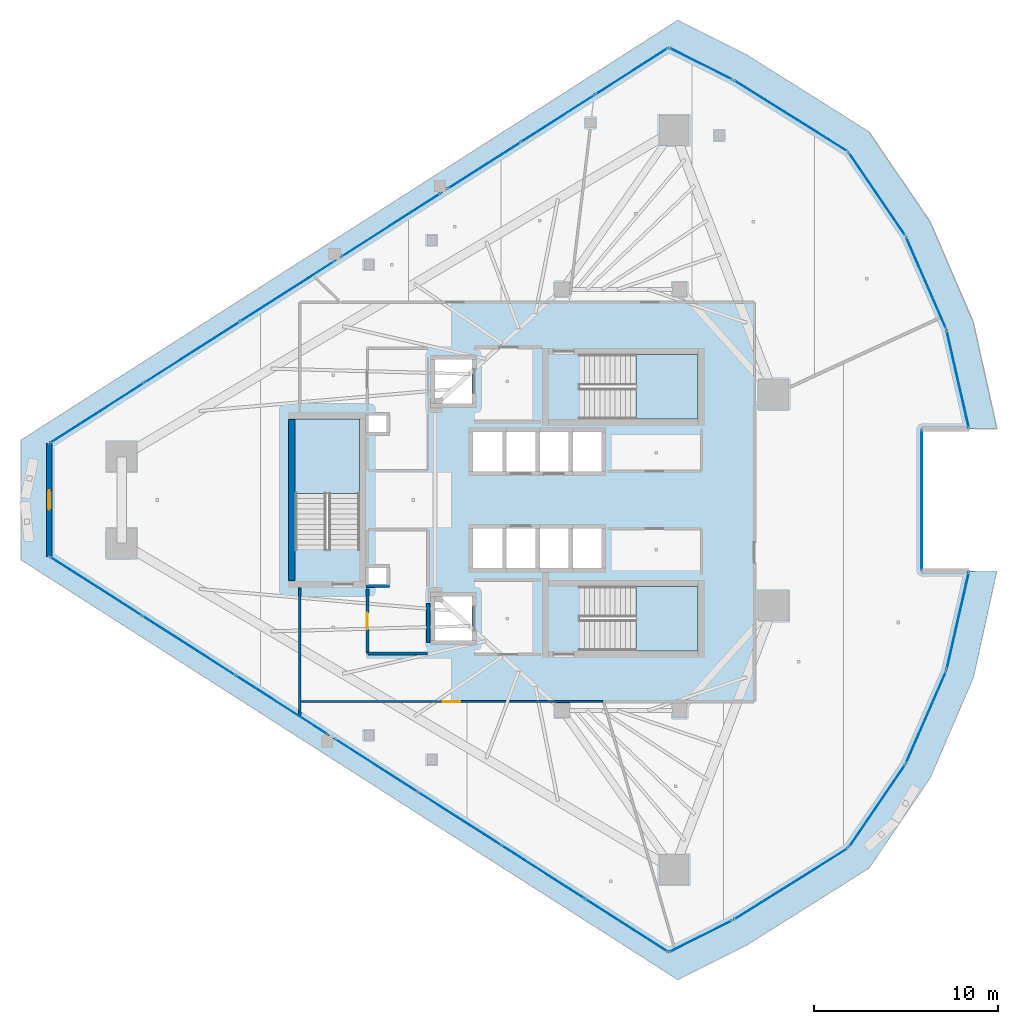
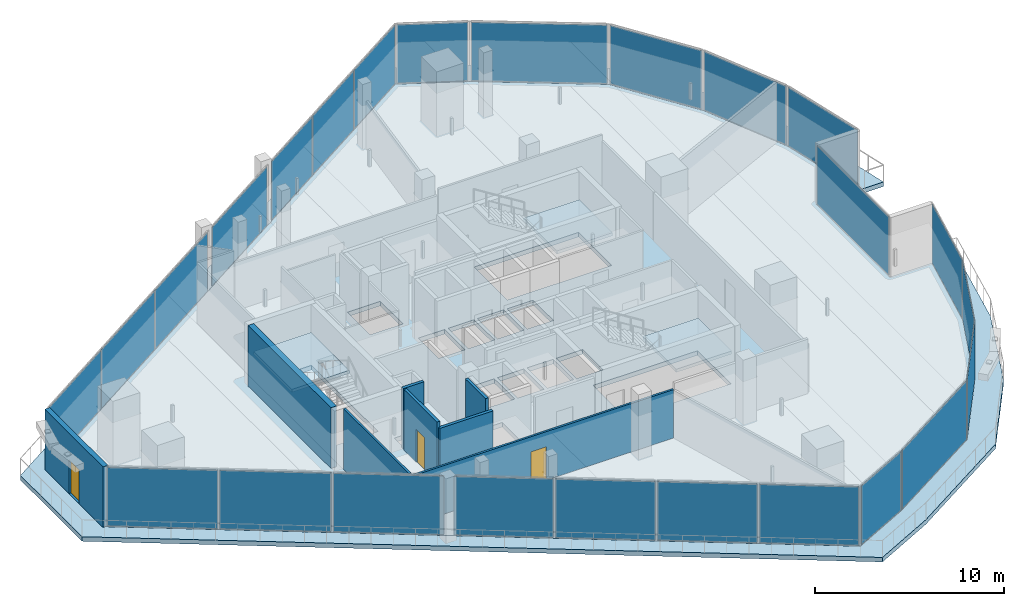
# One storey, part 20 of 31: 25 plates, 8 walls, 5 slabs, 3 doors, 3 openings, 19 elements without a shape of their own.
"""IFC4 building model written with IfcOpenShell, lengths in metres."""

from ifc_helpers import new_model, si_unit, direction, frame, frame_2d, origin, origin_2d, place, context, subcontext, project, spatial, polyline, rectangle, outline, extrude, material, layer, layer_set, type_object, element, fill, aggregate, save


model = new_model("IFC4")

# Units and contexts
model_context = context("Model", 3, precision=1e-05, world=origin(), true_north=direction((0.0, 1.0)))
body_context = subcontext(model_context, "Body", "Model", "MODEL_VIEW")
ifc_project = project(units=[si_unit("LENGTHUNIT", "METRE"), si_unit("AREAUNIT", "SQUARE_METRE"), si_unit("VOLUMEUNIT", "CUBIC_METRE"), si_unit("PLANEANGLEUNIT", "RADIAN"), si_unit("MASSUNIT", "GRAM", prefix="KILO")], contexts=[model_context])

# Site, building, storey
site_placement = place(None, origin())
site = spatial("IfcSite", under=ifc_project, at=site_placement, CompositionType="ELEMENT")
building_placement = place(site_placement, origin())
building = spatial("IfcBuilding", under=site, at=building_placement, Name="Qorvath Tower", CompositionType="ELEMENT")
storey_placement = place(building_placement, frame((0.0, 0.0, 259.800048828125)))
storey = spatial("IfcBuildingStorey", under=building, at=storey_placement, Name="L60", CompositionType="ELEMENT", Elevation=259.800048828125)

# Curtain wall, plates
ifc_material_1 = material(Name="Anodised aluminium and triple low-E glass", Category="aluminium")
ifc_layer_1 = layer(ifc_material_1, 0.179931640625)
ifc_layer_set_1 = layer_set([ifc_layer_1], Name="CW-SYS-4")
curtain_wall_type = type_object("IfcCurtainWallType", Name="CW-SYS-4", PredefinedType="NOTDEFINED", material=ifc_layer_set_1)
curtain_wall_1_placement = place(storey_placement, origin())
curtain_wall_1 = element("IfcCurtainWall", 1, at=curtain_wall_1_placement, inside=storey, type_object=curtain_wall_type, Name="Curtain Wall CW-4 CW-T-L60-2.1", PredefinedType="NOTDEFINED")
ifc_material_2 = material(Name="Acoustic laminated low-E glass", Category="glass")
ifc_layer_2 = layer(ifc_material_2, 0.0380859375)
ifc_layer_set_2 = layer_set([ifc_layer_2], Name="CWP-GLZ-38")
plate_type = type_object("IfcPlateType", Name="CWP-GLZ-38", PredefinedType="CURTAIN_PANEL", material=ifc_layer_set_2)
plate_1_placement = place(storey_placement, frame((-48.92822265625, -4.699462890625, 0.06494140625), z_axis=(0.0, 0.0, 1.0), x_axis=(0.84260709756, -0.538528809945, 0.0)))
plate_1 = element("IfcPlate", 2, at=plate_1_placement, type_object=plate_type, Name="CW-4 panel 1.1", PredefinedType="CURTAIN_PANEL", context=body_context, shape_type="SweptSolid", body=[
    extrude(rectangle(XDim=5.885986328125, YDim=0.0380859375, at=origin_2d()), origin(), (0.0, 0.0, 1.0), 3.780029296875),
])
plate_2_placement = place(storey_placement, frame((-43.8896484375, -7.919921875, 0.06494140625), z_axis=(0.0, 0.0, 1.0), x_axis=(0.84260709756, -0.538528809945, 0.0)))
plate_2 = element("IfcPlate", 3, at=plate_2_placement, type_object=plate_type, Name="CW-4 panel 2.1", PredefinedType="CURTAIN_PANEL", context=body_context, shape_type="SweptSolid", body=[
    extrude(rectangle(XDim=5.923583984375, YDim=0.0380859375, at=origin_2d()), origin(), (0.0, 0.0, 1.0), 3.780029296875),
])
plate_3_placement = place(storey_placement, frame((-38.850830078125, -11.14013671875, 0.06494140625), z_axis=(0.0, 0.0, 1.0), x_axis=(0.84260709756, -0.538528809945, 0.0)))
plate_3 = element("IfcPlate", 4, at=plate_3_placement, type_object=plate_type, Name="CW-4 panel 3.1", PredefinedType="CURTAIN_PANEL", context=body_context, shape_type="SweptSolid", body=[
    extrude(rectangle(XDim=5.885986328125, YDim=0.0380859375, at=origin_2d()), origin(), (0.0, 0.0, 1.0), 3.780029296875),
])
aggregate(curtain_wall_1, [plate_1, plate_2, plate_3])

curtain_wall_2_placement = place(storey_placement, origin())
curtain_wall_2 = element("IfcCurtainWall", 5, at=curtain_wall_2_placement, inside=storey, type_object=curtain_wall_type, Name="Curtain Wall CW-4 CW-T-L60-2.2", PredefinedType="NOTDEFINED")
plate_4_placement = place(storey_placement, frame((-33.704833984375, -14.42919921875, 0.06494140625), z_axis=(0.0, 0.0, 1.0), x_axis=(0.842602326393, -0.538536275061, 0.0)))
plate_4 = element("IfcPlate", 6, at=plate_4_placement, type_object=plate_type, Name="CW-4 panel 1.1", PredefinedType="CURTAIN_PANEL", context=body_context, shape_type="SweptSolid", body=[
    extrude(rectangle(XDim=5.28515625, YDim=0.0380859375, at=origin_2d()), origin(), (0.0, 0.0, 1.0), 3.780029296875),
])
plate_5_placement = place(storey_placement, frame((-29.172607421875, -17.32568359375, 0.06494140625), z_axis=(0.0, 0.0, 1.0), x_axis=(0.842602326393, -0.538536275061, 0.0)))
plate_5 = element("IfcPlate", 7, at=plate_5_placement, type_object=plate_type, Name="CW-4 panel 2.1", PredefinedType="CURTAIN_PANEL", context=body_context, shape_type="SweptSolid", body=[
    extrude(rectangle(XDim=5.322509765625, YDim=0.0380859375, at=origin_2d()), origin(), (0.0, 0.0, 1.0), 3.780029296875),
])
plate_6_placement = place(storey_placement, frame((-24.62451171875, -20.232666015625, 0.06494140625), z_axis=(0.0, 0.0, 1.0), x_axis=(0.842602326393, -0.538536275061, 0.0)))
plate_6 = element("IfcPlate", 8, at=plate_6_placement, type_object=plate_type, Name="CW-4 panel 3.1", PredefinedType="CURTAIN_PANEL", context=body_context, shape_type="SweptSolid", body=[
    extrude(rectangle(XDim=5.322509765625, YDim=0.0380859375, at=origin_2d()), origin(), (0.0, 0.0, 1.0), 3.780029296875),
])
plate_7_placement = place(storey_placement, frame((-20.09228515625, -23.12939453125, 0.06494140625), z_axis=(0.0, 0.0, 1.0), x_axis=(0.842602326393, -0.538536275061, 0.0)))
plate_7 = element("IfcPlate", 9, at=plate_7_placement, type_object=plate_type, Name="CW-4 panel 4.1", PredefinedType="CURTAIN_PANEL", context=body_context, shape_type="SweptSolid", body=[
    extrude(rectangle(XDim=5.28515625, YDim=0.0380859375, at=origin_2d()), origin(), (0.0, 0.0, 1.0), 3.780029296875),
])
aggregate(curtain_wall_2, [plate_4, plate_5, plate_6, plate_7])

# Curtain wall, plate
curtain_wall_3_placement = place(storey_placement, origin())
curtain_wall_3 = element("IfcCurtainWall", 10, at=curtain_wall_3_placement, inside=storey, type_object=curtain_wall_type, Name="Curtain Wall CW-4 CW-T-L60-3.1", PredefinedType="NOTDEFINED")
plate_8_placement = place(storey_placement, frame((-16.0458984375, -23.714599609375, 0.06494140625), z_axis=(0.0, 0.0, 1.0), x_axis=(0.894437373924, 0.447193229071, 0.0)))
plate_8 = element("IfcPlate", 11, at=plate_8_placement, type_object=plate_type, Name="CW-4 panel 1.1", PredefinedType="CURTAIN_PANEL", context=body_context, shape_type="SweptSolid", body=[
    extrude(rectangle(XDim=3.778076171875, YDim=0.0380859375, at=origin_2d()), origin(), (0.0, 0.0, 1.0), 3.780029296875),
])
aggregate(curtain_wall_3, [plate_8])

curtain_wall_4_placement = place(storey_placement, origin())
curtain_wall_4 = element("IfcCurtainWall", 12, at=curtain_wall_4_placement, inside=storey, type_object=curtain_wall_type, Name="Curtain Wall CW-4 CW-T-L60-4.1", PredefinedType="NOTDEFINED")
plate_9_placement = place(storey_placement, frame((-11.159423828125, -20.8779296875, 0.06494140625), z_axis=(0.0, 0.0, 1.0), x_axis=(0.847740264741, 0.530411579376, 0.0)))
plate_9 = element("IfcPlate", 13, at=plate_9_placement, type_object=plate_type, Name="CW-4 panel 1.1", PredefinedType="CURTAIN_PANEL", context=body_context, shape_type="SweptSolid", body=[
    extrude(rectangle(XDim=7.2333984375, YDim=0.0380859375, at=origin_2d()), origin(), (0.0, 0.0, 1.0), 3.780029296875),
])
aggregate(curtain_wall_4, [plate_9])

curtain_wall_5_placement = place(storey_placement, origin())
curtain_wall_5 = element("IfcCurtainWall", 14, at=curtain_wall_5_placement, inside=storey, type_object=curtain_wall_type, Name="Curtain Wall CW-4 CW-T-L60-5.1", PredefinedType="NOTDEFINED")
plate_10_placement = place(storey_placement, frame((-6.470947265625, -16.63232421875, 0.06494140625), z_axis=(0.0, 0.0, 1.0), x_axis=(0.563145136589, 0.826358006639, 0.0)))
plate_10 = element("IfcPlate", 15, at=plate_10_placement, type_object=plate_type, Name="CW-4 panel 1.1", PredefinedType="CURTAIN_PANEL", context=body_context, shape_type="SweptSolid", body=[
    extrude(rectangle(XDim=5.386474609375, YDim=0.0380859375, at=origin_2d()), origin(), (0.0, 0.0, 1.0), 3.780029296875),
])
aggregate(curtain_wall_5, [plate_10])

curtain_wall_6_placement = place(storey_placement, origin())
curtain_wall_6 = element("IfcCurtainWall", 16, at=curtain_wall_6_placement, inside=storey, type_object=curtain_wall_type, Name="Curtain Wall CW-4 CW-T-L60-6.1", PredefinedType="NOTDEFINED")
plate_11_placement = place(storey_placement, frame((-3.80517578125, -11.80712890625, 0.06494140625), z_axis=(0.0, 0.0, 1.0), x_axis=(0.399777274729, 0.916612312055, 0.0)))
plate_11 = element("IfcPlate", 17, at=plate_11_placement, type_object=plate_type, Name="CW-4 panel 1.1", PredefinedType="CURTAIN_PANEL", context=body_context, shape_type="SweptSolid", body=[
    extrude(rectangle(XDim=5.386474609375, YDim=0.0380859375, at=origin_2d()), origin(), (0.0, 0.0, 1.0), 3.780029296875),
])
aggregate(curtain_wall_6, [plate_11])

curtain_wall_7_placement = place(storey_placement, origin())
curtain_wall_7 = element("IfcCurtainWall", 18, at=curtain_wall_7_placement, inside=storey, type_object=curtain_wall_type, Name="Curtain Wall CW-4 CW-T-L60-7.1", PredefinedType="NOTDEFINED")
plate_12_placement = place(storey_placement, frame((-2.082763671875, -6.57080078125, 0.06494140625), z_axis=(0.0, 0.0, 1.0), x_axis=(0.22245942898, 0.97494194825, 0.0)))
plate_12 = element("IfcPlate", 19, at=plate_12_placement, type_object=plate_type, Name="CW-4 panel 1.1", PredefinedType="CURTAIN_PANEL", context=body_context, shape_type="SweptSolid", body=[
    extrude(rectangle(XDim=5.38671875, YDim=0.0380859375, at=origin_2d()), origin(), (0.0, 0.0, 1.0), 3.780029296875),
])
aggregate(curtain_wall_7, [plate_12])

curtain_wall_8_placement = place(storey_placement, origin())
curtain_wall_8 = element("IfcCurtainWall", 20, at=curtain_wall_8_placement, inside=storey, type_object=curtain_wall_type, Name="Curtain Wall CW-4 CW-T-L60-9.1", PredefinedType="NOTDEFINED")
plate_13_placement = place(storey_placement, frame((-4.0478515625, 0.0, 0.06494140625), z_axis=(0.0, 0.0, 1.0), x_axis=(0.0, 1.0, 0.0)))
plate_13 = element("IfcPlate", 21, at=plate_13_placement, type_object=plate_type, Name="CW-4 panel 1.1", PredefinedType="CURTAIN_PANEL", context=body_context, shape_type="SweptSolid", body=[
    extrude(rectangle(XDim=7.593505859375, YDim=0.0380859375, at=origin_2d()), origin(), (0.0, 0.0, 1.0), 3.780029296875),
])
aggregate(curtain_wall_8, [plate_13])

curtain_wall_9_placement = place(storey_placement, origin())
curtain_wall_9 = element("IfcCurtainWall", 22, at=curtain_wall_9_placement, inside=storey, type_object=curtain_wall_type, Name="Curtain Wall CW-4 CW-T-L60-11.1", PredefinedType="NOTDEFINED")
plate_14_placement = place(storey_placement, frame((-2.082763671875, 6.57080078125, 0.06494140625), z_axis=(0.0, 0.0, 1.0), x_axis=(-0.22245942898, 0.97494194825, 0.0)))
plate_14 = element("IfcPlate", 23, at=plate_14_placement, type_object=plate_type, Name="CW-4 panel 1.1", PredefinedType="CURTAIN_PANEL", context=body_context, shape_type="SweptSolid", body=[
    extrude(rectangle(XDim=5.38671875, YDim=0.0380859375, at=origin_2d()), origin(), (0.0, 0.0, 1.0), 3.780029296875),
])
aggregate(curtain_wall_9, [plate_14])

curtain_wall_10_placement = place(storey_placement, origin())
curtain_wall_10 = element("IfcCurtainWall", 24, at=curtain_wall_10_placement, inside=storey, type_object=curtain_wall_type, Name="Curtain Wall CW-4 CW-T-L60-12.1", PredefinedType="NOTDEFINED")
plate_15_placement = place(storey_placement, frame((-3.80517578125, 11.80712890625, 0.06494140625), z_axis=(0.0, 0.0, 1.0), x_axis=(-0.399777274729, 0.916612312055, 0.0)))
plate_15 = element("IfcPlate", 25, at=plate_15_placement, type_object=plate_type, Name="CW-4 panel 1.1", PredefinedType="CURTAIN_PANEL", context=body_context, shape_type="SweptSolid", body=[
    extrude(rectangle(XDim=5.386474609375, YDim=0.0380859375, at=origin_2d()), origin(), (0.0, 0.0, 1.0), 3.780029296875),
])
aggregate(curtain_wall_10, [plate_15])

curtain_wall_11_placement = place(storey_placement, origin())
curtain_wall_11 = element("IfcCurtainWall", 26, at=curtain_wall_11_placement, inside=storey, type_object=curtain_wall_type, Name="Curtain Wall CW-4 CW-T-L60-13.1", PredefinedType="NOTDEFINED")
plate_16_placement = place(storey_placement, frame((-6.470947265625, 16.63232421875, 0.06494140625), z_axis=(0.0, 0.0, 1.0), x_axis=(-0.563145136589, 0.826358006639, 0.0)))
plate_16 = element("IfcPlate", 27, at=plate_16_placement, type_object=plate_type, Name="CW-4 panel 1.1", PredefinedType="CURTAIN_PANEL", context=body_context, shape_type="SweptSolid", body=[
    extrude(rectangle(XDim=5.386474609375, YDim=0.0380859375, at=origin_2d()), origin(), (0.0, 0.0, 1.0), 3.780029296875),
])
aggregate(curtain_wall_11, [plate_16])

curtain_wall_12_placement = place(storey_placement, origin())
curtain_wall_12 = element("IfcCurtainWall", 28, at=curtain_wall_12_placement, inside=storey, type_object=curtain_wall_type, Name="Curtain Wall CW-4 CW-T-L60-14.1", PredefinedType="NOTDEFINED")
plate_17_placement = place(storey_placement, frame((-11.159423828125, 20.8779296875, 0.06494140625), z_axis=(0.0, 0.0, 1.0), x_axis=(-0.847740264741, 0.530411579376, 0.0)))
plate_17 = element("IfcPlate", 29, at=plate_17_placement, type_object=plate_type, Name="CW-4 panel 1.1", PredefinedType="CURTAIN_PANEL", context=body_context, shape_type="SweptSolid", body=[
    extrude(rectangle(XDim=7.2333984375, YDim=0.0380859375, at=origin_2d()), origin(), (0.0, 0.0, 1.0), 3.780029296875),
])
aggregate(curtain_wall_12, [plate_17])

curtain_wall_13_placement = place(storey_placement, origin())
curtain_wall_13 = element("IfcCurtainWall", 30, at=curtain_wall_13_placement, inside=storey, type_object=curtain_wall_type, Name="Curtain Wall CW-4 CW-T-L60-15.1", PredefinedType="NOTDEFINED")
plate_18_placement = place(storey_placement, frame((-16.0458984375, 23.714599609375, 0.06494140625), z_axis=(0.0, 0.0, 1.0), x_axis=(-0.894437373924, 0.447193229071, 0.0)))
plate_18 = element("IfcPlate", 31, at=plate_18_placement, type_object=plate_type, Name="CW-4 panel 1.1", PredefinedType="CURTAIN_PANEL", context=body_context, shape_type="SweptSolid", body=[
    extrude(rectangle(XDim=3.778076171875, YDim=0.0380859375, at=origin_2d()), origin(), (0.0, 0.0, 1.0), 3.780029296875),
])
aggregate(curtain_wall_13, [plate_18])

# Curtain wall, plates
curtain_wall_14_placement = place(storey_placement, origin())
curtain_wall_14 = element("IfcCurtainWall", 32, at=curtain_wall_14_placement, inside=storey, type_object=curtain_wall_type, Name="Curtain Wall CW-4 CW-T-L60-16.1", PredefinedType="NOTDEFINED")
plate_19_placement = place(storey_placement, frame((-19.8271484375, 23.298828125, 0.06494140625), z_axis=(0.0, 0.0, 1.0), x_axis=(-0.842610872651, -0.538522903218, 0.0)))
plate_19 = element("IfcPlate", 33, at=plate_19_placement, type_object=plate_type, Name="CW-4 panel 1.1", PredefinedType="CURTAIN_PANEL", context=body_context, shape_type="SweptSolid", body=[
    extrude(rectangle(XDim=4.655517578125, YDim=0.0380859375, at=origin_2d()), origin(), (0.0, 0.0, 1.0), 3.780029296875),
])
plate_20_placement = place(storey_placement, frame((-23.828857421875, 20.741455078125, 0.06494140625), z_axis=(0.0, 0.0, 1.0), x_axis=(-0.842610872651, -0.538522903218, 0.0)))
plate_20 = element("IfcPlate", 34, at=plate_20_placement, type_object=plate_type, Name="CW-4 panel 2.1", PredefinedType="CURTAIN_PANEL", context=body_context, shape_type="SweptSolid", body=[
    extrude(rectangle(XDim=4.69287109375, YDim=0.0380859375, at=origin_2d()), origin(), (0.0, 0.0, 1.0), 3.780029296875),
])
plate_21_placement = place(storey_placement, frame((-27.83056640625, 18.183837890625, 0.06494140625), z_axis=(0.0, 0.0, 1.0), x_axis=(-0.842610872651, -0.538522903218, 0.0)))
plate_21 = element("IfcPlate", 35, at=plate_21_placement, type_object=plate_type, Name="CW-4 panel 3.1", PredefinedType="CURTAIN_PANEL", context=body_context, shape_type="SweptSolid", body=[
    extrude(rectangle(XDim=4.655517578125, YDim=0.0380859375, at=origin_2d()), origin(), (0.0, 0.0, 1.0), 3.780029296875),
])
aggregate(curtain_wall_14, [plate_19, plate_20, plate_21])

# Curtain wall, plate
curtain_wall_15_placement = place(storey_placement, origin())
curtain_wall_15 = element("IfcCurtainWall", 36, at=curtain_wall_15_placement, inside=storey, type_object=curtain_wall_type, Name="Curtain Wall CW-4 CW-T-L60-16.2", PredefinedType="NOTDEFINED")
plate_22_placement = place(storey_placement, frame((-32.889404296875, 14.950439453125, 0.06494140625), z_axis=(0.0, 0.0, 1.0), x_axis=(-0.842597126239, -0.538544411218, 0.0)))
plate_22 = element("IfcPlate", 37, at=plate_22_placement, type_object=plate_type, Name="CW-4 panel 1.1", PredefinedType="CURTAIN_PANEL", context=body_context, shape_type="SweptSolid", body=[
    extrude(rectangle(XDim=6.30908203125, YDim=0.0380859375, at=origin_2d()), origin(), (0.0, 0.0, 1.0), 3.780029296875),
])
aggregate(curtain_wall_15, [plate_22])

# Curtain wall, plates
curtain_wall_16_placement = place(storey_placement, origin())
curtain_wall_16 = element("IfcCurtainWall", 38, at=curtain_wall_16_placement, inside=storey, type_object=curtain_wall_type, Name="Curtain Wall CW-4 CW-T-L60-16.3", PredefinedType="NOTDEFINED")
plate_23_placement = place(storey_placement, frame((-38.53076171875, 11.3447265625, 0.06494140625), z_axis=(0.0, 0.0, 1.0), x_axis=(-0.842604313573, -0.538533165876, 0.0)))
plate_23 = element("IfcPlate", 39, at=plate_23_placement, type_object=plate_type, Name="CW-4 panel 1.1", PredefinedType="CURTAIN_PANEL", context=body_context, shape_type="SweptSolid", body=[
    extrude(rectangle(XDim=6.0380859375, YDim=0.0380859375, at=origin_2d()), origin(), (0.0, 0.0, 1.0), 3.780029296875),
])
plate_24_placement = place(storey_placement, frame((-43.697509765625, 8.04248046875, 0.06494140625), z_axis=(0.0, 0.0, 1.0), x_axis=(-0.842604313573, -0.538533165876, 0.0)))
plate_24 = element("IfcPlate", 40, at=plate_24_placement, type_object=plate_type, Name="CW-4 panel 2.1", PredefinedType="CURTAIN_PANEL", context=body_context, shape_type="SweptSolid", body=[
    extrude(rectangle(XDim=6.075439453125, YDim=0.0380859375, at=origin_2d()), origin(), (0.0, 0.0, 1.0), 3.780029296875),
])
plate_25_placement = place(storey_placement, frame((-48.8642578125, 4.740478515625, 0.06494140625), z_axis=(0.0, 0.0, 1.0), x_axis=(-0.842604313573, -0.538533165876, 0.0)))
plate_25 = element("IfcPlate", 41, at=plate_25_placement, type_object=plate_type, Name="CW-4 panel 3.1", PredefinedType="CURTAIN_PANEL", context=body_context, shape_type="SweptSolid", body=[
    extrude(rectangle(XDim=6.0380859375, YDim=0.0380859375, at=origin_2d()), origin(), (0.0, 0.0, 1.0), 3.780029296875),
])
aggregate(curtain_wall_16, [plate_23, plate_24, plate_25])

# Slab
ifc_material_3 = material(Name="Concrete C50/60", Category="concrete")
ifc_layer_3 = layer(ifc_material_3, 0.2900390625)
ifc_layer_set_3 = layer_set([ifc_layer_3], Name="SL-EXEC-290")
slab_type_1 = type_object("IfcSlabType", Name="SL-EXEC-290", PredefinedType="FLOOR", material=ifc_layer_set_3)
slab_1_placement = place(storey_placement, frame((0.0, 0.0, -0.2900390625)))
element("IfcSlab", 42, at=slab_1_placement, inside=storey, type_object=slab_type_1, Name="Tower L60 Interior Floor Slab", PredefinedType="FLOOR", context=body_context, shape_type="SweptSolid", body=[
    extrude(outline(polyline([(-51.47119140625, 3.07421875), (-51.47119140625, -3.07421875), (-17.802490234375, -24.5927734375), (-14.2890625, -22.836181640625), (-8.02978515625, -18.919921875), (-4.911865234375, -14.3447265625), (-2.698486328125, -9.269775390625), (-1.466796875, -3.871826171875), (-4.0478515625, -3.871826171875), (-4.0478515625, 3.871826171875), (-1.466796875, 3.871826171875), (-2.698486328125, 9.269775390625), (-4.911865234375, 14.3447265625), (-8.02978515625, 18.919921875), (-14.2890625, 22.836181640625), (-17.802490234375, 24.5927734375), (-51.47119140625, 3.07421875)]), holes=[polyline([(-22.625, -8.199951171875), (-22.625, -4.68994140625), (-16.2451171875, -4.68994140625), (-16.2451171875, -8.199951171875), (-22.625, -8.199951171875)]), polyline([(-22.625, 4.39990234375), (-22.625, 7.909912109375), (-16.2451171875, 7.909912109375), (-16.2451171875, 4.39990234375), (-22.625, 4.39990234375)]), polyline([(-23.050048828125, -3.699951171875), (-23.050048828125, -1.550048828125), (-21.449951171875, -1.550048828125), (-21.449951171875, -3.699951171875), (-23.050048828125, -3.699951171875)]), polyline([(-23.050048828125, 1.550048828125), (-23.050048828125, 3.699951171875), (-21.449951171875, 3.699951171875), (-21.449951171875, 1.550048828125), (-23.050048828125, 1.550048828125)]), polyline([(-24.85009765625, -3.699951171875), (-24.85009765625, -1.550048828125), (-23.25, -1.550048828125), (-23.25, -3.699951171875), (-24.85009765625, -3.699951171875)]), polyline([(-24.85009765625, 1.550048828125), (-24.85009765625, 3.699951171875), (-23.25, 3.699951171875), (-23.25, 1.550048828125), (-24.85009765625, 1.550048828125)]), polyline([(-26.64990234375, -3.699951171875), (-26.64990234375, -1.550048828125), (-25.050048828125, -1.550048828125), (-25.050048828125, -3.699951171875), (-26.64990234375, -3.699951171875)]), polyline([(-26.64990234375, 1.550048828125), (-26.64990234375, 3.699951171875), (-25.050048828125, 3.699951171875), (-25.050048828125, 1.550048828125), (-26.64990234375, 1.550048828125)]), polyline([(-28.449951171875, -3.699951171875), (-28.449951171875, -1.550048828125), (-26.85009765625, -1.550048828125), (-26.85009765625, -3.699951171875), (-28.449951171875, -3.699951171875)]), polyline([(-28.449951171875, 1.550048828125), (-28.449951171875, 3.699951171875), (-26.85009765625, 3.699951171875), (-26.85009765625, 1.550048828125), (-28.449951171875, 1.550048828125)]), polyline([(-28.5, -7.64990234375), (-30.5, -7.64990234375), (-30.5, -5.25), (-28.5, -5.25), (-28.5, -7.64990234375)]), polyline([(-30.5, 5.25), (-30.5, 7.64990234375), (-28.5, 7.64990234375), (-28.5, 5.25), (-30.5, 5.25)]), polyline([(-34.14990234375, -4.6201171875), (-34.14990234375, -3.64990234375), (-33.10009765625, -3.64990234375), (-33.10009765625, -4.6201171875), (-34.14990234375, -4.6201171875)]), polyline([(-34.14990234375, 3.64990234375), (-34.14990234375, 4.6201171875), (-33.10009765625, 4.6201171875), (-33.10009765625, 3.64990234375), (-34.14990234375, 3.64990234375)]), polyline([(-34.60009765625, -2.675048828125), (-38.110107421875, -2.675048828125), (-38.110107421875, 4.35498046875), (-34.60009765625, 4.35498046875), (-34.60009765625, -2.675048828125)])]), origin(), (0.0, 0.0, 1.0), 0.2900390625),
])

# Stair, slab
ifc_material_4 = material(Name="Concrete C50/60", Category="concrete")
stair_type = type_object("IfcStairType", Name="ST-H420", PredefinedType="HALF_TURN_STAIR", material=ifc_material_4)
stair_1_placement = place(storey_placement, origin())
stair_1 = element("IfcStair", 43, at=stair_1_placement, inside=storey, type_object=stair_type, Name="L60 Tower Exit Stair 1", PredefinedType="HALF_TURN_STAIR")
ifc_material_5 = material(Name="Concrete C50/60", Category="concrete")
ifc_layer_4 = layer(ifc_material_5, 0.199951171875)
ifc_layer_set_4 = layer_set([ifc_layer_4], Name="SL-LND-200")
slab_type_2 = type_object("IfcSlabType", Name="SL-LND-200", PredefinedType="LANDING", material=ifc_layer_set_4)
slab_2_placement = place(storey_placement, frame((0.0, 0.0, 1.89990234375)))
slab_2 = element("IfcSlab", 44, at=slab_2_placement, type_object=slab_type_2, Name="TS1 landing 1", PredefinedType="LANDING", context=body_context, shape_type="SweptSolid", body=[
    extrude(outline(polyline([(-19.590087890625, 4.39990234375), (-16.199951171875, 4.39990234375), (-16.199951171875, 7.909912109375), (-19.590087890625, 7.909912109375), (-19.590087890625, 4.39990234375)])), origin(), (0.0, 0.0, 1.0), 0.199951171875),
])
aggregate(stair_1, [slab_2])

stair_2_placement = place(storey_placement, origin())
stair_2 = element("IfcStair", 45, at=stair_2_placement, inside=storey, type_object=stair_type, Name="L60 Tower Exit Stair 2", PredefinedType="HALF_TURN_STAIR")
slab_3_placement = place(storey_placement, frame((0.0, 0.0, 1.89990234375)))
slab_3 = element("IfcSlab", 46, at=slab_3_placement, type_object=slab_type_2, Name="TS2 landing 1", PredefinedType="LANDING", context=body_context, shape_type="SweptSolid", body=[
    extrude(outline(polyline([(-19.590087890625, -8.199951171875), (-16.199951171875, -8.199951171875), (-16.199951171875, -4.68994140625), (-19.590087890625, -4.68994140625), (-19.590087890625, -8.199951171875)])), origin(), (0.0, 0.0, 1.0), 0.199951171875),
])
aggregate(stair_2, [slab_3])

stair_3_placement = place(storey_placement, origin())
stair_3 = element("IfcStair", 47, at=stair_3_placement, inside=storey, type_object=stair_type, Name="L60 Tower Exit Stair 3", PredefinedType="HALF_TURN_STAIR")
slab_4_placement = place(storey_placement, frame((0.0, 0.0, 1.89990234375)))
slab_4 = element("IfcSlab", 48, at=slab_4_placement, type_object=slab_type_2, Name="TS3 landing 1", PredefinedType="LANDING", context=body_context, shape_type="SweptSolid", body=[
    extrude(outline(polyline([(-34.60009765625, 0.360107421875), (-34.60009765625, 4.39990234375), (-38.110107421875, 4.39990234375), (-38.110107421875, 0.360107421875), (-34.60009765625, 0.360107421875)])), origin(), (0.0, 0.0, 1.0), 0.199951171875),
])
aggregate(stair_3, [slab_4])

# Slab
ifc_material_6 = material(Name="Precast concrete C45/55", Category="concrete")
ifc_layer_5 = layer(ifc_material_6, 0.2900390625)
ifc_layer_set_5 = layer_set([ifc_layer_5], Name="SL-LOG-290")
slab_type_3 = type_object("IfcSlabType", Name="SL-LOG-290", PredefinedType="FLOOR", material=ifc_layer_set_5)
slab_5_placement = place(storey_placement, frame((0.0, 0.0, -0.2900390625)))
element("IfcSlab", 49, at=slab_5_placement, inside=storey, type_object=slab_type_3, Name="Tower L60 Perimeter Loggia and Terrace Slab", PredefinedType="FLOOR", context=body_context, shape_type="SweptSolid", body=[
    extrude(outline(polyline([(-13.583251953125, 24.212646484375), (-17.308349609375, 26.0751953125), (-53.00634765625, 3.259521484375), (-53.00634765625, -3.259521484375), (-17.308349609375, -26.0751953125), (-13.583251953125, -24.212646484375), (-6.9091796875, -20.01513671875), (-3.583984375, -15.106201171875), (-1.2392578125, -9.66064453125), (0.0419921875, -3.871826171875), (-1.466796875, -3.871826171875), (-2.698486328125, -9.269775390625), (-4.911865234375, -14.3447265625), (-8.02978515625, -18.919921875), (-14.2890625, -22.836181640625), (-17.802490234375, -24.5927734375), (-51.47119140625, -3.07421875), (-51.47119140625, 3.07421875), (-17.802490234375, 24.5927734375), (-14.2890625, 22.836181640625), (-8.02978515625, 18.919921875), (-4.911865234375, 14.3447265625), (-2.698486328125, 9.269775390625), (-1.466796875, 3.871826171875), (0.0419921875, 3.871826171875), (-1.2392578125, 9.66064453125), (-3.583984375, 15.106201171875), (-6.9091796875, 20.01513671875), (-13.583251953125, 24.212646484375)])), origin(), (0.0, 0.0, 1.0), 0.2900390625),
])

# Walls
ifc_material_7 = material(Name="Gypsum shaftliner on steel studs", Category="steel")
ifc_layer_6 = layer(ifc_material_7, 0.179931640625)
ifc_layer_set_6 = layer_set([ifc_layer_6], Name="FW-LOBBY")
wall_type_1 = type_object("IfcWallType", Name="FW-LOBBY", PredefinedType="PARTITIONING", material=ifc_layer_set_6)
wall_1_placement = place(storey_placement, frame((-32.989990234375, -4.675048828125, 0.0), z_axis=(0.0, 0.0, 1.0), x_axis=(-1.0, 0.0, 0.0)))
element("IfcWall", 50, at=wall_1_placement, inside=storey, type_object=wall_type_1, Name="MEP Riser Shaft Enclosure Wall S-L60-S", PredefinedType="PARTITIONING", context=body_context, shape_type="SweptSolid", body=[
    extrude(rectangle(XDim=1.27001953125, YDim=0.179931640625, at=frame_2d((0.635009765625, 0.0))), origin(), (0.0, 0.0, 1.0), 3.909912109375),
])
wall_2_placement = place(storey_placement, frame((-34.15478515625, -8.35009765625, 0.0), z_axis=(0.0, 0.0, 1.0), x_axis=(1.0, 0.0, 0.0)))
element("IfcWall", 51, at=wall_2_placement, inside=storey, type_object=wall_type_1, Name="Interior Partition IW-T1-L60-015", PredefinedType="PARTITIONING", context=body_context, shape_type="SweptSolid", body=[
    extrude(rectangle(XDim=3.25, YDim=0.179931640625, at=frame_2d((1.625, 0.0))), origin(), (0.0, 0.0, 1.0), 3.52880859375),
])
wall_3_placement = place(storey_placement, frame((-30.8798828125, -7.742919921875, 0.0), z_axis=(0.0, 0.0, 1.0), x_axis=(0.0, 1.0, 0.0)))
element("IfcWall", 52, at=wall_3_placement, inside=storey, type_object=wall_type_1, Name="Interior Partition IW-T1-L60-016", PredefinedType="PARTITIONING", context=body_context, shape_type="SweptSolid", body=[
    extrude(rectangle(XDim=2.1279296875, YDim=0.179931640625, at=frame_2d((1.06396484375, 0.0))), origin(), (0.0, 0.0, 1.0), 3.909912109375),
])

# Wall, opening, door
wall_4_placement = place(storey_placement, frame((-34.179931640625, -4.840087890625, 0.0), z_axis=(0.0, 0.0, 1.0), x_axis=(0.0, -1.0, 0.0)))
wall_4 = element("IfcWall", 53, at=wall_4_placement, inside=storey, type_object=wall_type_1, Name="Interior Partition IW-T1-L60-020", PredefinedType="PARTITIONING", context=body_context, shape_type="SweptSolid", body=[
    extrude(rectangle(XDim=3.485107421875, YDim=0.179931640625, at=frame_2d((1.74267578125, 0.0))), origin(), (0.0, 0.0, 1.0), 3.909912109375),
])
opening_1_placement = place(wall_4_placement, frame((1.302490234375, 0.0, 0.0)))
opening_1 = element("IfcOpeningElement", 54, at=opening_1_placement, cuts=wall_4, Name="Opening D-T1-L60-04", PredefinedType="OPENING", context=body_context, shape_type="SweptSolid", body=[
    extrude(rectangle(XDim=0.8798828125, YDim=2.10009765625, at=frame_2d((0.43994140625, 1.050048828125))), frame((0.0, 0.10009765625, 0.0), z_axis=(0.0, -1.0, 0.0), x_axis=(1.0, 0.0, 0.0)), (0.0, 0.0, 1.0), 0.199951171875),
])
ifc_material_8 = material(Name="Painted galvanised hollow metal", Category="steel")
door_type_1 = type_object("IfcDoorType", Name="FD-60N", OperationType="NOTDEFINED", PredefinedType="DOOR", material=ifc_material_8)
door_1_placement = place(opening_1_placement, origin())
door_1 = element("IfcDoor", 55, at=door_1_placement, inside=storey, type_object=door_type_1, Name="Core electrical and cleaner room L60 Door D-T1-L60-04", OperationType="SINGLE_SWING_RIGHT", OverallHeight=2.10009765625, OverallWidth=0.8798828125, PredefinedType="DOOR", context=body_context, shape_type="SweptSolid", body=[
    extrude(rectangle(XDim=0.8798828125, YDim=2.10009765625, at=frame_2d((0.43994140625, 1.050048828125))), frame((0.0, 0.02490234375, 0.0), z_axis=(0.0, -1.0, 0.0), x_axis=(1.0, 0.0, 0.0)), (0.0, 0.0, 1.0), 0.050048828125),
])
fill(opening_1, door_1)

ifc_material_9 = material(Name="Gypsum board on metal studs with mineral wool", Category="gypsum")
ifc_layer_7 = layer(ifc_material_9, 0.125)
ifc_layer_set_7 = layer_set([ifc_layer_7], Name="IW-PART-125")
wall_type_2 = type_object("IfcWallType", Name="IW-PART-125", PredefinedType="PARTITIONING", material=ifc_layer_set_7)
wall_5_placement = place(storey_placement, frame((-37.8330078125, -10.9580078125, 0.0), z_axis=(0.0, 0.0, 1.0), x_axis=(1.0, 0.0, 0.0)))
wall_5 = element("IfcWall", 56, at=wall_5_placement, inside=storey, type_object=wall_type_2, Name="Interior Partition IW-T1-L60-021", PredefinedType="PARTITIONING", context=body_context, shape_type="SweptSolid", body=[
    extrude(rectangle(XDim=16.462890625, YDim=0.125, at=frame_2d((8.2314453125, 0.0))), origin(), (0.0, 0.0, 1.0), 3.1298828125),
])
opening_2_placement = place(wall_5_placement, frame((7.75634765625, 0.0, 0.0)))
opening_2 = element("IfcOpeningElement", 57, at=opening_2_placement, cuts=wall_5, Name="Opening D-T1-L60-05", PredefinedType="OPENING", context=body_context, shape_type="SweptSolid", body=[
    extrude(rectangle(XDim=0.949951171875, YDim=2.14990234375, at=frame_2d((0.47509765625, 1.074951171875))), frame((0.0, 0.072509765625, 0.0), z_axis=(0.0, -1.0, 0.0), x_axis=(1.0, 0.0, 0.0)), (0.0, 0.0, 1.0), 0.14501953125),
])
ifc_material_10 = material(Name="Solid-core American white oak veneer", Category="wood")
door_type_2 = type_object("IfcDoorType", Name="D-01", OperationType="NOTDEFINED", PredefinedType="DOOR", material=ifc_material_10)
door_2_placement = place(opening_2_placement, origin())
door_2 = element("IfcDoor", 58, at=door_2_placement, inside=storey, type_object=door_type_2, Name="L60-01 Open Workplace Studio Door D-T1-L60-05", OperationType="SINGLE_SWING_LEFT", OverallHeight=2.14990234375, OverallWidth=0.949951171875, PredefinedType="DOOR", context=body_context, shape_type="SweptSolid", body=[
    extrude(rectangle(XDim=0.949951171875, YDim=2.14990234375, at=frame_2d((0.47509765625, 1.074951171875))), frame((0.0, 0.02490234375, 0.0), z_axis=(0.0, -1.0, 0.0), x_axis=(1.0, 0.0, 0.0)), (0.0, 0.0, 1.0), 0.050048828125),
])
fill(opening_2, door_2)

# Walls
wall_6_placement = place(storey_placement, frame((-37.85791015625, -4.783203125, 0.0), z_axis=(0.0, 0.0, 1.0), x_axis=(0.0, -1.0, 0.0)))
element("IfcWall", 59, at=wall_6_placement, inside=storey, type_object=wall_type_2, Name="Interior Partition IW-T1-L60-022", PredefinedType="PARTITIONING", context=body_context, shape_type="SweptSolid", body=[
    extrude(rectangle(XDim=6.91162109375, YDim=0.125, at=frame_2d((3.455810546875, 0.0))), origin(), (0.0, 0.0, 1.0), 3.909912109375),
])
ifc_material_11 = material(Name="Concrete C60/75", Category="concrete")
ifc_layer_8 = layer(ifc_material_11, 0.35009765625)
ifc_layer_set_8 = layer_set([ifc_layer_8], Name="SW-STAIR")
wall_type_3 = type_object("IfcWallType", Name="SW-STAIR", PredefinedType="SHEAR", material=ifc_layer_set_8)
wall_7_placement = place(storey_placement, frame((-38.284912109375, 4.385009765625, 0.0), z_axis=(0.0, 0.0, 1.0), x_axis=(0.0, -1.0, 0.0)))
element("IfcWall", 60, at=wall_7_placement, inside=storey, type_object=wall_type_3, Name="Stair TS3 Shear Wall L60 RIGHT", PredefinedType="SHEAR", context=body_context, shape_type="SweptSolid", body=[
    extrude(rectangle(XDim=8.77001953125, YDim=0.35009765625, at=frame_2d((4.385009765625, 0.0))), origin(), (0.0, 0.0, 1.0), 3.909912109375),
])

# Wall, opening, door
ifc_material_12 = material(Name="Precast concrete C45/55", Category="concrete")
ifc_layer_9 = layer(ifc_material_12, 0.300048828125)
ifc_layer_set_9 = layer_set([ifc_layer_9], Name="WL-EW-LOG-300")
wall_type_4 = type_object("IfcWallType", Name="WL-EW-LOG-300", PredefinedType="SOLIDWALL", material=ifc_layer_set_9)
wall_8_placement = place(storey_placement, frame((-51.47119140625, -3.07421875, 0.0), z_axis=(0.0, 0.0, 1.0), x_axis=(0.0, 1.0, 0.0)))
wall_8 = element("IfcWall", 61, at=wall_8_placement, inside=storey, type_object=wall_type_4, Name="Tower Precast Loggia Wall L60-1.1", PredefinedType="SOLIDWALL", context=body_context, shape_type="SweptSolid", body=[
    extrude(rectangle(XDim=6.1484375, YDim=0.300048828125, at=frame_2d((3.07421875, 0.0))), origin(), (0.0, 0.0, 1.0), 3.909912109375),
])
opening_3_placement = place(wall_8_placement, frame((2.54931640625, 0.0, 0.0)))
opening_3 = element("IfcOpeningElement", 62, at=opening_3_placement, cuts=wall_8, Name="Opening ED-L60-01", PredefinedType="OPENING", context=body_context, shape_type="SweptSolid", body=[
    extrude(rectangle(XDim=1.050048828125, YDim=2.199951171875, at=frame_2d((0.52490234375, 1.10009765625))), frame((0.0, 0.16015625, 0.0), z_axis=(0.0, -1.0, 0.0), x_axis=(1.0, 0.0, 0.0)), (0.0, 0.0, 1.0), 0.320068359375),
])
ifc_material_13 = material(Name="Thermally broken aluminium glazed door", Category="aluminium")
door_type_3 = type_object("IfcDoorType", Name="ED-LOG", OperationType="NOTDEFINED", PredefinedType="DOOR", material=ifc_material_13)
door_3_placement = place(opening_3_placement, origin())
door_3 = element("IfcDoor", 63, at=door_3_placement, inside=storey, type_object=door_type_3, Name="L60 Recessed Loggia Access Door 1", OperationType="SINGLE_SWING_RIGHT", OverallHeight=2.199951171875, OverallWidth=1.050048828125, PredefinedType="DOOR", context=body_context, shape_type="SweptSolid", body=[
    extrude(rectangle(XDim=1.050048828125, YDim=2.199951171875, at=frame_2d((0.52490234375, 1.10009765625))), frame((0.0, 0.02490234375, 0.0), z_axis=(0.0, -1.0, 0.0), x_axis=(1.0, 0.0, 0.0)), (0.0, 0.0, 1.0), 0.050048828125),
])
fill(opening_3, door_3)

save(model, "model.ifc")
